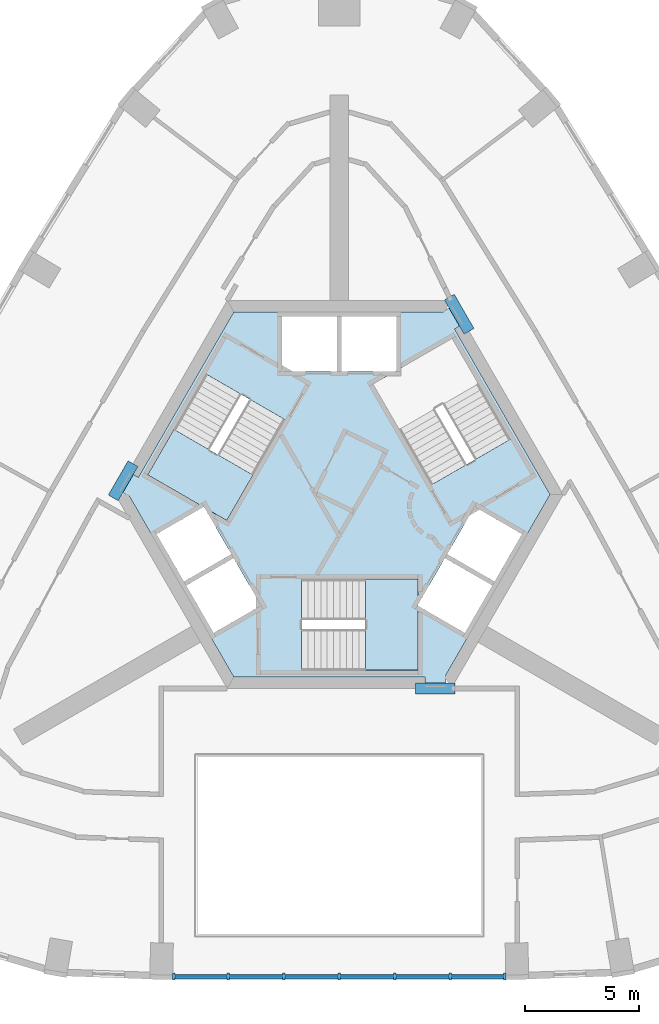
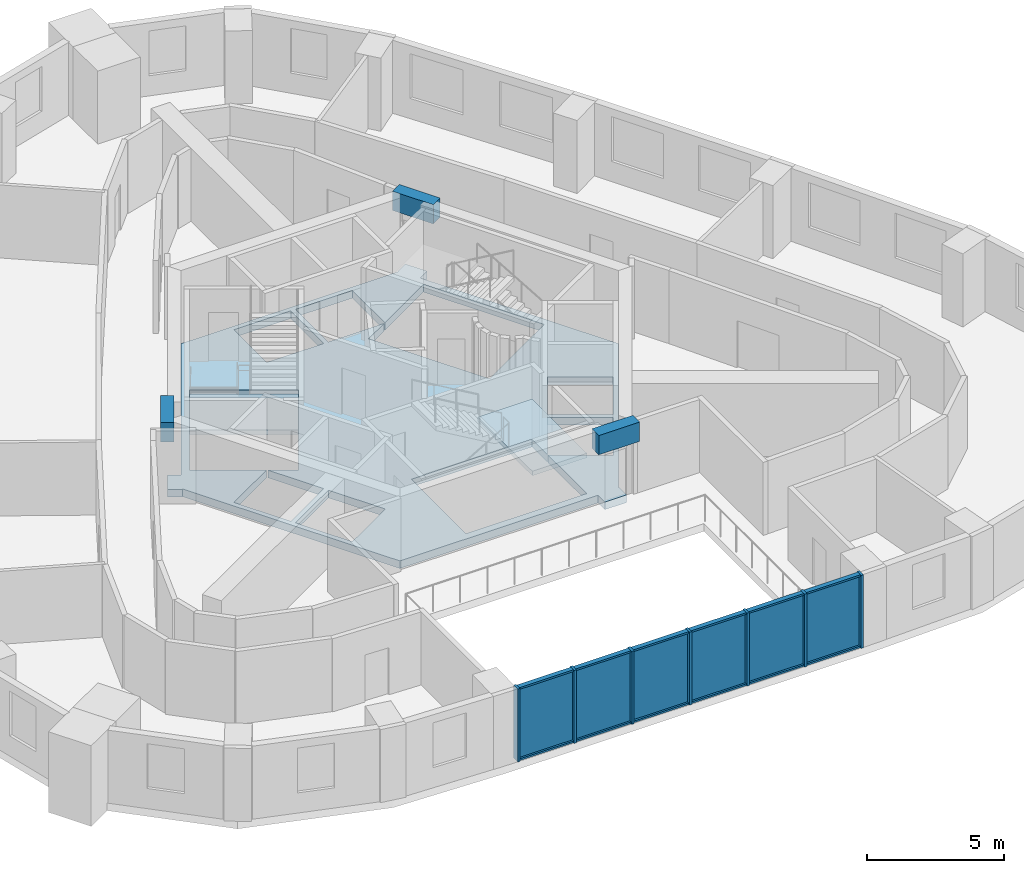
# One storey, part 2 of 8: 19 members, 6 plates, 3 beams, 3 slabs, 3 elements without a shape of their own.
"""IFC4 building model written with IfcOpenShell, lengths in metres."""

import ifcopenshell
import ifcopenshell.guid

model = None  # the IFC model being written
_history = None  # IfcOwnerHistory: only IFC2X3 demands one
_inside = {}  # id of a spatial element -> (the spatial element, [elements in it])
_under = {}  # id of a project, library or spatial element -> (it, [spatial elements below it])
_declared = {}  # id of a project -> (the project, [libraries it declares])
_typed = {}  # id of a type object -> (the type object, [elements of that type])
_made_of = {}  # id of a material, layer set ... -> (it, [elements and type objects made of it])


def new_model(schema):
    """Start an empty IFC model of exactly this schema.

    Asked for "IFC4X3", IfcOpenShell would pick the latest addendum, in which some entities
    have other attributes; the version numbers below select the first issue.
    IFC2X3 requires an IfcOwnerHistory on every rooted entity: one is made here for all.
    """
    global model, _history
    if schema == "IFC4X3":
        model = ifcopenshell.file(schema_version=(4, 3, 0, 0))
    else:
        model = ifcopenshell.file(schema=schema)
    _inside.clear()
    _under.clear()
    _declared.clear()
    _typed.clear()
    _made_of.clear()
    _history = None
    if model.schema == "IFC2X3":
        org = make("IfcOrganization", Name="unknown")
        user = make(
            "IfcPersonAndOrganization",
            ThePerson=make("IfcPerson", FamilyName="unknown"),
            TheOrganization=org,
        )
        app = make(
            "IfcApplication",
            ApplicationDeveloper=org,
            Version="unknown",
            ApplicationFullName="unknown",
            ApplicationIdentifier="unknown",
        )
        _history = make(
            "IfcOwnerHistory",
            OwningUser=user,
            OwningApplication=app,
            ChangeAction="ADDED",
            CreationDate=0,
        )
    return model


def make(cls, **values):
    """One entity of the class cls with the attributes given. An attribute that is None is left unset."""
    return model.create_entity(
        cls, **{name: value for name, value in values.items() if value is not None}
    )


def rooted(cls, **values):
    """An entity with a GlobalId (a new one), such as an element, a storey or a relation."""
    return make(cls, GlobalId=ifcopenshell.guid.new(), OwnerHistory=_history, **values)


def si_unit(unit_type, name, prefix=None):
    """IfcSIUnit, for example si_unit("LENGTHUNIT", "METRE", prefix="MILLI")."""
    return make("IfcSIUnit", UnitType=unit_type, Prefix=prefix, Name=name)


def assignment(units):
    """IfcUnitAssignment: the units of a project."""
    return None if units is None else make("IfcUnitAssignment", Units=units)


def point(xyz):
    """IfcCartesianPoint."""
    return None if xyz is None else make("IfcCartesianPoint", Coordinates=xyz)


def direction(xyz):
    """IfcDirection."""
    return None if xyz is None else make("IfcDirection", DirectionRatios=xyz)


def frame(location, z_axis=None, x_axis=None):
    """IfcAxis2Placement3D, a coordinate frame: its origin and axes. An axis left out is left unset."""
    return make(
        "IfcAxis2Placement3D",
        Location=point(location),
        Axis=direction(z_axis),
        RefDirection=direction(x_axis),
    )


def frame_2d(location, x_axis=None):
    """IfcAxis2Placement2D, a coordinate frame in the plane: its origin and x axis."""
    return make(
        "IfcAxis2Placement2D", Location=point(location), RefDirection=direction(x_axis)
    )


def origin():
    """The frame at (0, 0, 0) with its axes left unset."""
    return frame((0.0, 0.0, 0.0))


def origin_2d():
    """The frame at (0, 0) in the plane with its x axis left unset."""
    return frame_2d((0.0, 0.0))


def place(relative_to, where):
    """IfcLocalPlacement: puts the frame where relative to a parent placement (None: the world)."""
    return make(
        "IfcLocalPlacement", PlacementRelTo=relative_to, RelativePlacement=where
    )


def context(
    kind, dimensions, precision=None, world=None, true_north=None, identifier=None
):
    """IfcGeometricRepresentationContext, for example the 3D "Model" context."""
    return make(
        "IfcGeometricRepresentationContext",
        ContextIdentifier=identifier,
        ContextType=kind,
        CoordinateSpaceDimension=dimensions,
        Precision=precision,
        WorldCoordinateSystem=world,
        TrueNorth=true_north,
    )


def subcontext(parent, identifier, kind, view, scale=None):
    """IfcGeometricRepresentationSubContext, for example "Body" below "Model"."""
    return make(
        "IfcGeometricRepresentationSubContext",
        ContextIdentifier=identifier,
        ContextType=kind,
        ParentContext=parent,
        TargetScale=scale,
        TargetView=view,
    )


def project(units=None, contexts=None):
    """IfcProject with its units and contexts."""
    return rooted(
        "IfcProject",
        Name="project",
        RepresentationContexts=contexts,
        UnitsInContext=assignment(units),
    )


def spatial(cls, under=None, at=None, **own):
    """A site, building, storey or space (cls), placed at a placement, below another one or the project."""
    s = rooted(cls, ObjectPlacement=at, **own)
    if under is not None:
        _under.setdefault(under.id(), (under, []))[1].append(s)
    return s


def polyline(points):
    """IfcPolyline through the points."""
    return make("IfcPolyline", Points=[point(p) for p in points])


def profile(cls, at=None, kind="AREA", **sizes):
    """A parametric profile (cls). Its sizes go by their IFC names, for example OverallWidth=200.0."""
    return make(cls, ProfileType=kind, Position=at, **sizes)


def rectangle(**sizes):
    """IfcRectangleProfileDef."""
    return profile("IfcRectangleProfileDef", **sizes)


def outline(outer, holes=None, kind="AREA"):
    """IfcArbitraryClosedProfileDef: a profile drawn as a closed curve; with holes, ...WithVoids."""
    if holes is None:
        return make("IfcArbitraryClosedProfileDef", ProfileType=kind, OuterCurve=outer)
    return make(
        "IfcArbitraryProfileDefWithVoids",
        ProfileType=kind,
        OuterCurve=outer,
        InnerCurves=holes,
    )


def extrude(swept, where, along, depth):
    """IfcExtrudedAreaSolid: the profile swept, set in the frame where, extruded along a direction by depth."""
    return make(
        "IfcExtrudedAreaSolid",
        SweptArea=swept,
        Position=where,
        ExtrudedDirection=direction(along),
        Depth=depth,
    )


def shape(context_of_items, identifier, shape_type, items):
    """IfcShapeRepresentation: the items that make up one representation, for example the "Body"."""
    return make(
        "IfcShapeRepresentation",
        ContextOfItems=context_of_items,
        RepresentationIdentifier=identifier,
        RepresentationType=shape_type,
        Items=items,
    )


def material(Name=None, Category=None):
    """IfcMaterial."""
    return make("IfcMaterial", Name=Name, Category=Category)


def layer(
    of_material, thickness, ventilated=None, Name=None, Category=None, Priority=None
):
    """IfcMaterialLayer: one layer of a wall or slab, of a material (None: an air gap)."""
    return make(
        "IfcMaterialLayer",
        Material=of_material,
        LayerThickness=thickness,
        IsVentilated=ventilated,
        Name=Name,
        Category=Category,
        Priority=Priority,
    )


def layer_set(layers, Name=None):
    """IfcMaterialLayerSet."""
    return make("IfcMaterialLayerSet", MaterialLayers=layers, LayerSetName=Name)


def material_profile(
    of_material, cross_section, Name=None, Category=None, Priority=None
):
    """IfcMaterialProfile: a cross section and its material."""
    return make(
        "IfcMaterialProfile",
        Name=Name,
        Material=of_material,
        Profile=cross_section,
        Priority=Priority,
        Category=Category,
    )


def profile_set(profiles, Name=None, composite=None):
    """IfcMaterialProfileSet."""
    return make(
        "IfcMaterialProfileSet",
        Name=Name,
        MaterialProfiles=profiles,
        CompositeProfile=composite,
    )


def made_of(thing, what):
    """Note that an element or type object is made of a material, layer set ...; save() writes the relation."""
    if what is not None:
        _made_of.setdefault(what.id(), (what, []))[1].append(thing)
    return thing


def type_object(cls, material=None, **own):
    """A type object (cls), such as IfcWallType, which elements share."""
    return made_of(rooted(cls, **own), material)


def element(
    cls,
    number,
    at=None,
    inside=None,
    cuts=None,
    type_object=None,
    material=None,
    context=None,
    identifier="Body",
    shape_type=None,
    held_by="IfcProductDefinitionShape",
    body=None,
    shapes=None,
    **own,
):
    """One element of the class cls, such as IfcWall. Its Tag is "e" and its number.

    at: its placement. inside: the storey or other place that contains it. cuts: it is an
    opening in that element (IfcRelVoidsElement). A single representation is given by context,
    identifier, shape_type and body (its items); several are given by shapes. held_by: the class
    of the entity that holds the representations. save() writes the other relations.
    """
    e = rooted(cls, Tag="e%d" % number, ObjectPlacement=at, **own)
    if body is not None:
        shapes = [shape(context, identifier, shape_type, body)]
    if shapes is not None:
        e.Representation = make(held_by, Representations=shapes)
    if inside is not None:
        _inside.setdefault(inside.id(), (inside, []))[1].append(e)
    if cuts is not None:
        rooted(
            "IfcRelVoidsElement", RelatingBuildingElement=cuts, RelatedOpeningElement=e
        )
    if type_object is not None:
        _typed.setdefault(type_object.id(), (type_object, []))[1].append(e)
    return made_of(e, material)


def aggregate(whole, parts):
    """IfcRelAggregates: a whole, such as a stair, and the parts it consists of."""
    return rooted("IfcRelAggregates", RelatingObject=whole, RelatedObjects=parts)


def save(model, path):
    """Write the relations noted so far, then the file.

    IfcRelAggregates (storeys below a building ...), IfcRelContainedInSpatialStructure (elements
    in a storey), IfcRelDefinesByType, IfcRelAssociatesMaterial and IfcRelDeclares: one each for
    every whole, place, type object, material and project.
    """
    for whole, parts in _under.values():
        aggregate(whole, parts)
    for where, things in _inside.values():
        rooted(
            "IfcRelContainedInSpatialStructure",
            RelatedElements=things,
            RelatingStructure=where,
        )
    for kind, things in _typed.values():
        rooted("IfcRelDefinesByType", RelatedObjects=things, RelatingType=kind)
    for what, things in _made_of.values():
        rooted("IfcRelAssociatesMaterial", RelatedObjects=things, RelatingMaterial=what)
    for by, libraries in _declared.values():
        rooted("IfcRelDeclares", RelatingContext=by, RelatedDefinitions=libraries)
    model.write(path)


model = new_model("IFC4")

# Units and contexts
model_context = context("Model", 3, precision=1e-05, world=origin(), true_north=direction((0.0, 1.0)))
body_context = subcontext(model_context, "Body", "Model", "MODEL_VIEW")
ifc_project = project(units=[si_unit("LENGTHUNIT", "METRE"), si_unit("AREAUNIT", "SQUARE_METRE"), si_unit("VOLUMEUNIT", "CUBIC_METRE"), si_unit("PLANEANGLEUNIT", "RADIAN"), si_unit("MASSUNIT", "GRAM", prefix="KILO")], contexts=[model_context])

# Site, building, storey
site_placement = place(None, origin())
site = spatial("IfcSite", under=ifc_project, at=site_placement, CompositionType="ELEMENT")
building_placement = place(site_placement, origin())
building = spatial("IfcBuilding", under=site, at=building_placement, Name="Entoto Arch Interchange Tower", CompositionType="ELEMENT")
storey_placement = place(building_placement, frame((0.0, 0.0, 311.60009765625)))
storey = spatial("IfcBuildingStorey", under=building, at=storey_placement, Name="L73", CompositionType="ELEMENT", Elevation=311.60009765625)

# Beams
ifc_material_1 = material(Name="Concrete C40/50", Category="concrete")
ifc_material_profile_1 = material_profile(ifc_material_1, rectangle(XDim=0.5, YDim=0.860107421875, at=origin_2d()))
ifc_profile_set_1 = profile_set([ifc_material_profile_1], Name="Concrete C40/50")
beam_type = type_object("IfcBeamType", Name="Coupling beam RC 500x860 C40/50", PredefinedType="BEAM", material=ifc_profile_set_1)
for number, where, z_axis, x_axis, name in (
    (1, (5.68603515625, 9.65087890625, 2.829833984375), (-0.500105721196, 0.865964357019, 0.0), (-0.865964357019, -0.500105721196, 0.0), "Coupling beam NE L73"),
    (2, (-9.035888671875, 3.84912109375, 2.829833984375), (-0.500105721196, -0.865964357019, 0.0), (0.865964357019, -0.500105721196, 0.0), "Coupling beam NW L73"),
):
    element("IfcBeam", number, at=place(storey_placement, frame(where, z_axis=z_axis, x_axis=x_axis)), inside=storey, type_object=beam_type, Name=name, PredefinedType="BEAM", context=body_context, shape_type="SweptSolid", body=[
        extrude(rectangle(XDim=0.5, YDim=0.860107421875, at=origin_2d()), origin(), (0.0, 0.0, 1.0), 1.727783203125),
    ])
beam_placement = place(storey_placement, frame((3.35009765625, -6.0, 2.829833984375), z_axis=(1.0, 0.0, 0.0), x_axis=(0.0, 1.0, 0.0)))
element("IfcBeam", 3, at=beam_placement, inside=storey, type_object=beam_type, Name="Coupling beam S L73", PredefinedType="BEAM", context=body_context, shape_type="SweptSolid", body=[
    extrude(rectangle(XDim=0.5, YDim=0.860107421875, at=origin_2d()), origin(), (0.0, 0.0, 1.0), 1.725830078125),
])

# Curtain wall, members
ifc_material_2 = material(Name="Aluminium, anodised", Category="aluminium")
curtain_wall_type = type_object("IfcCurtainWallType", Name="CURTAIN WALL ATRIUM", PredefinedType="NOTDEFINED", material=ifc_material_2)
curtain_wall_placement = place(storey_placement, origin())
curtain_wall = element("IfcCurtainWall", 4, at=curtain_wall_placement, inside=storey, type_object=curtain_wall_type, Name="Atrium glazing S-02 L73", PredefinedType="NOTDEFINED")
ifc_material_profile_2 = material_profile(ifc_material_2, rectangle(XDim=0.300048828125, YDim=0.10009765625, at=origin_2d()))
ifc_profile_set_2 = profile_set([ifc_material_profile_2], Name="Aluminium, anodised")
member_type_1 = type_object("IfcMemberType", Name="MULLION ATRIUM 100x300", PredefinedType="MULLION", material=ifc_profile_set_2)
member_1_placement = place(storey_placement, frame((-7.248046875, -18.62109375, 0.0), z_axis=(0.0, 0.0, 1.0), x_axis=(0.0, 1.0, 0.0)))
member_1 = element("IfcMember", 5, at=member_1_placement, type_object=member_type_1, Name="CWA mullion 1", PredefinedType="MULLION", context=body_context, shape_type="SweptSolid", body=[
    extrude(rectangle(XDim=0.300048828125, YDim=0.10009765625, at=origin_2d()), origin(), (0.0, 0.0, 1.0), 3.260009765625),
])
member_2_placement = place(storey_placement, frame((-4.865234375, -18.62109375, 0.0), z_axis=(0.0, 0.0, 1.0), x_axis=(0.0, 1.0, 0.0)))
member_2 = element("IfcMember", 6, at=member_2_placement, type_object=member_type_1, Name="CWA mullion 2", PredefinedType="MULLION", context=body_context, shape_type="SweptSolid", body=[
    extrude(rectangle(XDim=0.300048828125, YDim=0.10009765625, at=origin_2d()), origin(), (0.0, 0.0, 1.0), 3.260009765625),
])
member_3_placement = place(storey_placement, frame((-2.4326171875, -18.62109375, 0.0), z_axis=(0.0, 0.0, 1.0), x_axis=(0.0, 1.0, 0.0)))
member_3 = element("IfcMember", 7, at=member_3_placement, type_object=member_type_1, Name="CWA mullion 3", PredefinedType="MULLION", context=body_context, shape_type="SweptSolid", body=[
    extrude(rectangle(XDim=0.300048828125, YDim=0.10009765625, at=origin_2d()), origin(), (0.0, 0.0, 1.0), 3.260009765625),
])
member_4_placement = place(storey_placement, frame((0.0, -18.62109375, 0.0), z_axis=(0.0, 0.0, 1.0), x_axis=(0.0, 1.0, 0.0)))
member_4 = element("IfcMember", 8, at=member_4_placement, type_object=member_type_1, Name="CWA mullion 4", PredefinedType="MULLION", context=body_context, shape_type="SweptSolid", body=[
    extrude(rectangle(XDim=0.300048828125, YDim=0.10009765625, at=origin_2d()), origin(), (0.0, 0.0, 1.0), 3.260009765625),
])
member_5_placement = place(storey_placement, frame((2.4326171875, -18.62109375, 0.0), z_axis=(0.0, 0.0, 1.0), x_axis=(0.0, 1.0, 0.0)))
member_5 = element("IfcMember", 9, at=member_5_placement, type_object=member_type_1, Name="CWA mullion 5", PredefinedType="MULLION", context=body_context, shape_type="SweptSolid", body=[
    extrude(rectangle(XDim=0.300048828125, YDim=0.10009765625, at=origin_2d()), origin(), (0.0, 0.0, 1.0), 3.260009765625),
])
member_6_placement = place(storey_placement, frame((4.865234375, -18.62109375, 0.0), z_axis=(0.0, 0.0, 1.0), x_axis=(0.0, 1.0, 0.0)))
member_6 = element("IfcMember", 10, at=member_6_placement, type_object=member_type_1, Name="CWA mullion 6", PredefinedType="MULLION", context=body_context, shape_type="SweptSolid", body=[
    extrude(rectangle(XDim=0.300048828125, YDim=0.10009765625, at=origin_2d()), origin(), (0.0, 0.0, 1.0), 3.260009765625),
])
member_7_placement = place(storey_placement, frame((7.248046875, -18.62109375, 0.0), z_axis=(0.0, 0.0, 1.0), x_axis=(0.0, 1.0, 0.0)))
member_7 = element("IfcMember", 11, at=member_7_placement, type_object=member_type_1, Name="CWA mullion 7", PredefinedType="MULLION", context=body_context, shape_type="SweptSolid", body=[
    extrude(rectangle(XDim=0.300048828125, YDim=0.10009765625, at=origin_2d()), origin(), (0.0, 0.0, 1.0), 3.260009765625),
])
ifc_material_profile_3 = material_profile(ifc_material_2, rectangle(XDim=0.199951171875, YDim=0.080078125, at=origin_2d()))
ifc_profile_set_3 = profile_set([ifc_material_profile_3], Name="Aluminium, anodised")
member_type_2 = type_object("IfcMemberType", Name="TRANSOM ATRIUM 80x200", PredefinedType="USERDEFINED", material=ifc_profile_set_3)
member_8_placement = place(storey_placement, frame((-7.197998046875, -18.62109375, 0.039794921875), z_axis=(1.0, 0.0, 0.0), x_axis=(0.0, 1.0, 0.0)))
member_8 = element("IfcMember", 12, at=member_8_placement, type_object=member_type_2, Name="CWA transom 1.1", ObjectType="TRANSOM", PredefinedType="USERDEFINED", context=body_context, shape_type="SweptSolid", body=[
    extrude(rectangle(XDim=0.199951171875, YDim=0.080078125, at=origin_2d()), origin(), (0.0, 0.0, 1.0), 2.28271484375),
])
member_9_placement = place(storey_placement, frame((-7.197998046875, -18.62109375, 3.219970703125), z_axis=(1.0, 0.0, 0.0), x_axis=(0.0, 1.0, 0.0)))
member_9 = element("IfcMember", 13, at=member_9_placement, type_object=member_type_2, Name="CWA transom 1.2", ObjectType="TRANSOM", PredefinedType="USERDEFINED", context=body_context, shape_type="SweptSolid", body=[
    extrude(rectangle(XDim=0.199951171875, YDim=0.080078125, at=origin_2d()), origin(), (0.0, 0.0, 1.0), 2.28271484375),
])
member_10_placement = place(storey_placement, frame((-4.8154296875, -18.62109375, 0.039794921875), z_axis=(1.0, 0.0, 0.0), x_axis=(0.0, 1.0, 0.0)))
member_10 = element("IfcMember", 14, at=member_10_placement, type_object=member_type_2, Name="CWA transom 2.1", ObjectType="TRANSOM", PredefinedType="USERDEFINED", context=body_context, shape_type="SweptSolid", body=[
    extrude(rectangle(XDim=0.199951171875, YDim=0.080078125, at=origin_2d()), origin(), (0.0, 0.0, 1.0), 2.332763671875),
])
member_11_placement = place(storey_placement, frame((-4.8154296875, -18.62109375, 3.219970703125), z_axis=(1.0, 0.0, 0.0), x_axis=(0.0, 1.0, 0.0)))
member_11 = element("IfcMember", 15, at=member_11_placement, type_object=member_type_2, Name="CWA transom 2.2", ObjectType="TRANSOM", PredefinedType="USERDEFINED", context=body_context, shape_type="SweptSolid", body=[
    extrude(rectangle(XDim=0.199951171875, YDim=0.080078125, at=origin_2d()), origin(), (0.0, 0.0, 1.0), 2.332763671875),
])
member_12_placement = place(storey_placement, frame((-2.382568359375, -18.62109375, 0.039794921875), z_axis=(1.0, 0.0, 0.0), x_axis=(0.0, 1.0, 0.0)))
member_12 = element("IfcMember", 16, at=member_12_placement, type_object=member_type_2, Name="CWA transom 3.1", ObjectType="TRANSOM", PredefinedType="USERDEFINED", context=body_context, shape_type="SweptSolid", body=[
    extrude(rectangle(XDim=0.199951171875, YDim=0.080078125, at=origin_2d()), origin(), (0.0, 0.0, 1.0), 2.33251953125),
])
member_13_placement = place(storey_placement, frame((-2.382568359375, -18.62109375, 3.219970703125), z_axis=(1.0, 0.0, 0.0), x_axis=(0.0, 1.0, 0.0)))
member_13 = element("IfcMember", 17, at=member_13_placement, type_object=member_type_2, Name="CWA transom 3.2", ObjectType="TRANSOM", PredefinedType="USERDEFINED", context=body_context, shape_type="SweptSolid", body=[
    extrude(rectangle(XDim=0.199951171875, YDim=0.080078125, at=origin_2d()), origin(), (0.0, 0.0, 1.0), 2.33251953125),
])
member_14_placement = place(storey_placement, frame((0.050048828125, -18.62109375, 0.039794921875), z_axis=(1.0, 0.0, 0.0), x_axis=(0.0, 1.0, 0.0)))
member_14 = element("IfcMember", 18, at=member_14_placement, type_object=member_type_2, Name="CWA transom 4.1", ObjectType="TRANSOM", PredefinedType="USERDEFINED", context=body_context, shape_type="SweptSolid", body=[
    extrude(rectangle(XDim=0.199951171875, YDim=0.080078125, at=origin_2d()), origin(), (0.0, 0.0, 1.0), 2.33251953125),
])
member_15_placement = place(storey_placement, frame((0.050048828125, -18.62109375, 3.219970703125), z_axis=(1.0, 0.0, 0.0), x_axis=(0.0, 1.0, 0.0)))
member_15 = element("IfcMember", 19, at=member_15_placement, type_object=member_type_2, Name="CWA transom 4.2", ObjectType="TRANSOM", PredefinedType="USERDEFINED", context=body_context, shape_type="SweptSolid", body=[
    extrude(rectangle(XDim=0.199951171875, YDim=0.080078125, at=origin_2d()), origin(), (0.0, 0.0, 1.0), 2.33251953125),
])
member_16_placement = place(storey_placement, frame((2.482666015625, -18.62109375, 0.039794921875), z_axis=(1.0, 0.0, 0.0), x_axis=(0.0, 1.0, 0.0)))
member_16 = element("IfcMember", 20, at=member_16_placement, type_object=member_type_2, Name="CWA transom 5.1", ObjectType="TRANSOM", PredefinedType="USERDEFINED", context=body_context, shape_type="SweptSolid", body=[
    extrude(rectangle(XDim=0.199951171875, YDim=0.080078125, at=origin_2d()), origin(), (0.0, 0.0, 1.0), 2.332763671875),
])
member_17_placement = place(storey_placement, frame((2.482666015625, -18.62109375, 3.219970703125), z_axis=(1.0, 0.0, 0.0), x_axis=(0.0, 1.0, 0.0)))
member_17 = element("IfcMember", 21, at=member_17_placement, type_object=member_type_2, Name="CWA transom 5.2", ObjectType="TRANSOM", PredefinedType="USERDEFINED", context=body_context, shape_type="SweptSolid", body=[
    extrude(rectangle(XDim=0.199951171875, YDim=0.080078125, at=origin_2d()), origin(), (0.0, 0.0, 1.0), 2.332763671875),
])
member_18_placement = place(storey_placement, frame((4.915283203125, -18.62109375, 0.039794921875), z_axis=(1.0, 0.0, 0.0), x_axis=(0.0, 1.0, 0.0)))
member_18 = element("IfcMember", 22, at=member_18_placement, type_object=member_type_2, Name="CWA transom 6.1", ObjectType="TRANSOM", PredefinedType="USERDEFINED", context=body_context, shape_type="SweptSolid", body=[
    extrude(rectangle(XDim=0.199951171875, YDim=0.080078125, at=origin_2d()), origin(), (0.0, 0.0, 1.0), 2.28271484375),
])
member_19_placement = place(storey_placement, frame((4.915283203125, -18.62109375, 3.219970703125), z_axis=(1.0, 0.0, 0.0), x_axis=(0.0, 1.0, 0.0)))
member_19 = element("IfcMember", 23, at=member_19_placement, type_object=member_type_2, Name="CWA transom 6.2", ObjectType="TRANSOM", PredefinedType="USERDEFINED", context=body_context, shape_type="SweptSolid", body=[
    extrude(rectangle(XDim=0.199951171875, YDim=0.080078125, at=origin_2d()), origin(), (0.0, 0.0, 1.0), 2.28271484375),
])

# Slab
ifc_layer_1 = layer(ifc_material_1, 0.340087890625)
ifc_layer_set_1 = layer_set([ifc_layer_1], Name="Concrete C40/50")
slab_type_1 = type_object("IfcSlabType", Name="Core floor slab 340 C40/50", PredefinedType="FLOOR", material=ifc_layer_set_1)
slab_1_placement = place(storey_placement, frame((0.0, 0.0, -0.340087890625)))
element("IfcSlab", 24, at=slab_1_placement, inside=storey, type_object=slab_type_1, Name="Core floor slab L73", PredefinedType="FLOOR", context=body_context, shape_type="SweptSolid", body=[
    extrude(outline(polyline([(-9.208984375, 2.449951171875), (-9.222900390625, 2.425048828125), (-9.699951171875, 2.699951171875), (-9.236083984375, 3.501953125), (-8.802978515625, 3.2529296875), (-4.618896484375, 10.5), (4.56103515625, 10.5), (4.5458984375, 10.52490234375), (5.02197265625, 10.800048828125), (5.486083984375, 9.998046875), (5.052978515625, 9.748046875), (9.238037109375, 2.5), (4.64794921875, -5.449951171875), (4.676025390625, -5.449951171875), (4.676025390625, -6.0), (3.75, -6.0), (3.75, -5.5), (-4.618896484375, -5.5), (-9.208984375, 2.449951171875)]), holes=[polyline([(-1.64990234375, -5.199951171875), (3.449951171875, -5.199951171875), (3.449951171875, -2.3779296875), (5.5048828125, -3.56494140625), (6.705078125, -1.487060546875), (4.626953125, -0.287109375), (3.449951171875, -2.324951171875), (3.449951171875, -1.199951171875), (-1.64990234375, -1.199951171875), (-1.64990234375, -5.199951171875)]), polyline([(-4.626953125, -0.287109375), (-6.705078125, -1.487060546875), (-5.5048828125, -3.56494140625), (-3.427001953125, -2.364990234375), (-4.626953125, -0.287109375)]), polyline([(-5.904052734375, 1.925048828125), (-4.928955078125, 1.362060546875), (-2.37890625, 5.779052734375), (-5.843017578125, 7.779052734375), (-8.39306640625, 3.362060546875), (-5.949951171875, 1.951904296875), (-8.0048828125, 0.764892578125), (-6.804931640625, -1.31298828125), (-4.72705078125, -0.113037109375), (-5.904052734375, 1.925048828125)]), polyline([(4.72705078125, -0.113037109375), (6.804931640625, -1.31298828125), (8.0048828125, 0.764892578125), (5.927001953125, 1.965087890625), (4.72705078125, -0.113037109375)]), polyline([(2.5, 7.927001953125), (2.5, 10.300048828125), (0.10009765625, 10.300048828125), (0.10009765625, 7.89990234375), (2.452880859375, 7.89990234375), (1.47900390625, 7.337890625), (4.029052734375, 2.9208984375), (7.492919921875, 4.9208984375), (4.943115234375, 9.337890625), (2.5, 7.927001953125)]), polyline([(-2.5, 7.89990234375), (-0.10009765625, 7.89990234375), (-0.10009765625, 10.300048828125), (-2.5, 10.300048828125), (-2.5, 7.89990234375)])]), origin(), (0.0, 0.0, 1.0), 0.340087890625),
])

# Stair, slab
stair_type = type_object("IfcStairType", Name="EXIT STAIR RC 1800", PredefinedType="HALF_TURN_STAIR", material=ifc_material_1)
stair_1_placement = place(storey_placement, origin())
stair_1 = element("IfcStair", 25, at=stair_1_placement, inside=storey, type_object=stair_type, Name="L73 Exit stair S", PredefinedType="HALF_TURN_STAIR")
ifc_layer_2 = layer(ifc_material_1, 0.199951171875)
ifc_layer_set_2 = layer_set([ifc_layer_2], Name="Concrete C40/50")
slab_type_2 = type_object("IfcSlabType", Name="EXIT STAIR LANDING RC 200", PredefinedType="LANDING", material=ifc_layer_set_2)
slab_2_placement = place(storey_placement, frame((0.0, 0.0, 1.599853515625)))
slab_2 = element("IfcSlab", 26, at=slab_2_placement, type_object=slab_type_2, Name="ST-S landing 1", PredefinedType="LANDING", context=body_context, shape_type="SweptSolid", body=[
    extrude(outline(polyline([(1.14990234375, -5.199951171875), (3.449951171875, -5.199951171875), (3.449951171875, -1.199951171875), (1.14990234375, -1.199951171875), (1.14990234375, -5.199951171875)])), origin(), (0.0, 0.0, 1.0), 0.199951171875),
])
aggregate(stair_1, [slab_2])

stair_2_placement = place(storey_placement, origin())
stair_2 = element("IfcStair", 27, at=stair_2_placement, inside=storey, type_object=stair_type, Name="L73 Exit stair NW", PredefinedType="HALF_TURN_STAIR")
slab_3_placement = place(storey_placement, frame((0.0, 0.0, 1.599853515625)))
slab_3 = element("IfcSlab", 28, at=slab_3_placement, type_object=slab_type_2, Name="ST-NW landing 1", PredefinedType="LANDING", context=body_context, shape_type="SweptSolid", body=[
    extrude(outline(polyline([(-7.243408203125, 5.35400390625), (-8.393310546875, 3.3623046875), (-4.92919921875, 1.3623046875), (-3.779296875, 3.35400390625), (-7.243408203125, 5.35400390625)])), origin(), (0.0, 0.0, 1.0), 0.199951171875),
])
aggregate(stair_2, [slab_3])

# Plate
ifc_material_3 = material(Name="Clear glass, low-e double glazed", Category="glass")
ifc_layer_3 = layer(ifc_material_3, 0.031982421875)
ifc_layer_set_3 = layer_set([ifc_layer_3], Name="Clear glass, low-e double glazed")
plate_type = type_object("IfcPlateType", Name="GLAZING PANEL ATRIUM 32", PredefinedType="CURTAIN_PANEL", material=ifc_layer_set_3)
plate_1_placement = place(storey_placement, frame((-6.056640625, -18.62109375, 0.079833984375), z_axis=(0.0, 0.0, 1.0), x_axis=(1.0, 0.0, 0.0)))
plate_1 = element("IfcPlate", 29, at=plate_1_placement, type_object=plate_type, Name="CWA panel 1.1", PredefinedType="CURTAIN_PANEL", context=body_context, shape_type="SweptSolid", body=[
    extrude(rectangle(XDim=2.28271484375, YDim=0.031982421875, at=origin_2d()), origin(), (0.0, 0.0, 1.0), 3.10009765625),
])

plate_2_placement = place(storey_placement, frame((-3.64892578125, -18.62109375, 0.079833984375), z_axis=(0.0, 0.0, 1.0), x_axis=(1.0, 0.0, 0.0)))
plate_2 = element("IfcPlate", 30, at=plate_2_placement, type_object=plate_type, Name="CWA panel 2.1", PredefinedType="CURTAIN_PANEL", context=body_context, shape_type="SweptSolid", body=[
    extrude(rectangle(XDim=2.332763671875, YDim=0.031982421875, at=origin_2d()), origin(), (0.0, 0.0, 1.0), 3.10009765625),
])

plate_3_placement = place(storey_placement, frame((-1.21630859375, -18.62109375, 0.079833984375), z_axis=(0.0, 0.0, 1.0), x_axis=(1.0, 0.0, 0.0)))
plate_3 = element("IfcPlate", 31, at=plate_3_placement, type_object=plate_type, Name="CWA panel 3.1", PredefinedType="CURTAIN_PANEL", context=body_context, shape_type="SweptSolid", body=[
    extrude(rectangle(XDim=2.332763671875, YDim=0.031982421875, at=origin_2d()), origin(), (0.0, 0.0, 1.0), 3.10009765625),
])

plate_4_placement = place(storey_placement, frame((1.21630859375, -18.62109375, 0.079833984375), z_axis=(0.0, 0.0, 1.0), x_axis=(1.0, 0.0, 0.0)))
plate_4 = element("IfcPlate", 32, at=plate_4_placement, type_object=plate_type, Name="CWA panel 4.1", PredefinedType="CURTAIN_PANEL", context=body_context, shape_type="SweptSolid", body=[
    extrude(rectangle(XDim=2.332763671875, YDim=0.031982421875, at=origin_2d()), origin(), (0.0, 0.0, 1.0), 3.10009765625),
])

plate_5_placement = place(storey_placement, frame((3.64892578125, -18.62109375, 0.079833984375), z_axis=(0.0, 0.0, 1.0), x_axis=(1.0, 0.0, 0.0)))
plate_5 = element("IfcPlate", 33, at=plate_5_placement, type_object=plate_type, Name="CWA panel 5.1", PredefinedType="CURTAIN_PANEL", context=body_context, shape_type="SweptSolid", body=[
    extrude(rectangle(XDim=2.332763671875, YDim=0.031982421875, at=origin_2d()), origin(), (0.0, 0.0, 1.0), 3.10009765625),
])

plate_6_placement = place(storey_placement, frame((6.056640625, -18.62109375, 0.079833984375), z_axis=(0.0, 0.0, 1.0), x_axis=(1.0, 0.0, 0.0)))
plate_6 = element("IfcPlate", 34, at=plate_6_placement, type_object=plate_type, Name="CWA panel 6.1", PredefinedType="CURTAIN_PANEL", context=body_context, shape_type="SweptSolid", body=[
    extrude(rectangle(XDim=2.28271484375, YDim=0.031982421875, at=origin_2d()), origin(), (0.0, 0.0, 1.0), 3.10009765625),
])

aggregate(curtain_wall, [member_1, member_2, member_3, member_4, member_5, member_6, member_7, member_8, member_9, plate_1, member_10, member_11, plate_2, member_12, member_13, plate_3, member_14, member_15, plate_4, member_16, member_17, plate_5, member_18, member_19, plate_6])

save(model, "model.ifc")
